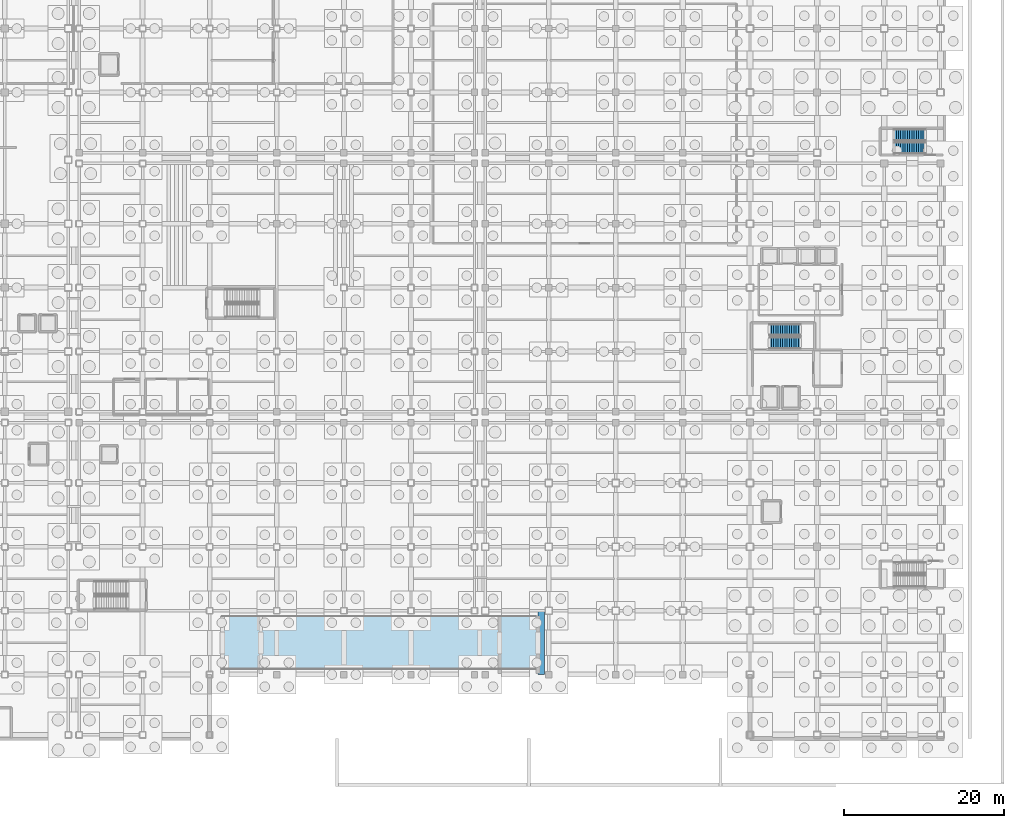
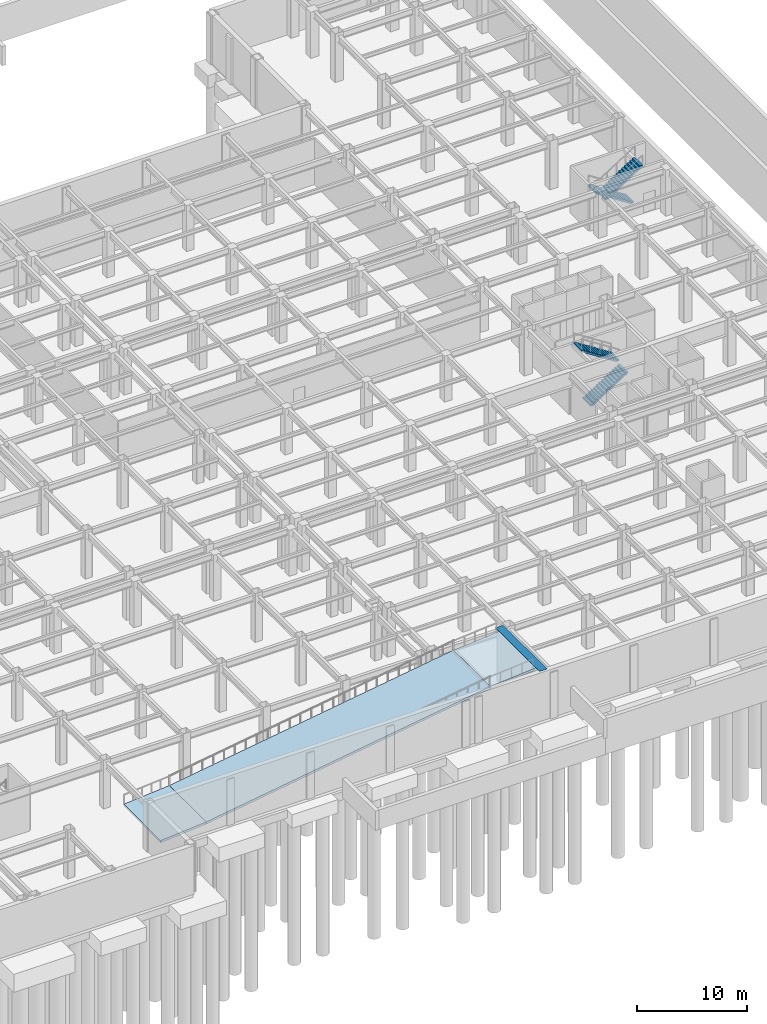
# One storey, part 41 of 55: 4 stair flights, 3 slabs, 1 ramp, 2 elements without a shape of their own.
"""IFC4 building model written with IfcOpenShell, lengths in metres."""

from ifc_helpers import new_model, si_unit, direction, frame, origin, place, context, subcontext, project, spatial, polyline, outline, extrude, material, layer, layer_set, type_object, element, aggregate, save


model = new_model("IFC4")

# Units and contexts
model_context = context("Model", 3, precision=1e-05, world=origin(), true_north=direction((0.0, 1.0)))
body_context = subcontext(model_context, "Body", "Model", "MODEL_VIEW")
ifc_project = project(units=[si_unit("LENGTHUNIT", "METRE"), si_unit("AREAUNIT", "SQUARE_METRE"), si_unit("VOLUMEUNIT", "CUBIC_METRE"), si_unit("PLANEANGLEUNIT", "RADIAN"), si_unit("MASSUNIT", "GRAM", prefix="KILO")], contexts=[model_context])

# Slab
ifc_material_1 = material(Name="Concrete C36/45", Category="concrete")
ifc_layer_1 = layer(ifc_material_1, 0.25)
ifc_layer_set_1 = layer_set([ifc_layer_1], Name="Concrete C36/45")
slab_type = type_object("IfcSlabType", Name="TP-SL-VRMP", PredefinedType="FLOOR", material=ifc_layer_set_1)
site_placement = place(None, origin())
building_placement = place(site_placement, origin())
storey_placement = place(building_placement, frame((0.0, 0.0, -5.39990234375)))
slab_1_placement = place(storey_placement, frame((77.64990234375, 8.64990234375, 0.0), z_axis=(-0.083024506106, 0.0, 0.996547505835), x_axis=(0.996547505835, 0.0, 0.083024506106)))
slab_1 = element("IfcSlab", 1, at=slab_1_placement, type_object=slab_type, Name="Vehicle ramp R1 structural slab F1", PredefinedType="FLOOR", context=body_context, shape_type="SweptSolid", body=[
    extrude(outline(polyline([(0.0, 0.0), (4.816678382134407, 0.0), (4.816678382134407, 6.700195312500002), (0.0, 6.700195312500002), (0.0, 0.0)])), origin(), (0.0, 0.0, -1.0), 0.25),
])

slab_2_placement = place(storey_placement, frame((82.449951171875, 8.64990234375, 0.39990234375), z_axis=(-0.152059609993, 0.0, 0.988371324457), x_axis=(0.988371324457, 0.0, 0.152059609993)))
slab_2 = element("IfcSlab", 2, at=slab_2_placement, type_object=slab_type, Name="Vehicle ramp R1 structural slab F2", PredefinedType="FLOOR", context=body_context, shape_type="SweptSolid", body=[
    extrude(outline(polyline([(0.0, 0.0), (30.251936437757493, 0.0), (30.251936437757493, 6.7001953125), (0.0, 6.7001953125), (0.0, 0.0)])), origin(), (0.0, 0.0, -1.0), 0.25),
])

slab_3_placement = place(storey_placement, frame((112.35009765625, 8.64990234375, 5.0), z_axis=(-0.083028700011, 0.0, 0.996547156423), x_axis=(0.996547156423, 0.0, 0.083028700011)))
slab_3 = element("IfcSlab", 3, at=slab_3_placement, type_object=slab_type, Name="Vehicle ramp R1 structural slab F3", PredefinedType="FLOOR", context=body_context, shape_type="SweptSolid", body=[
    extrude(outline(polyline([(0.0, 0.0), (4.816435084446142, 0.0), (4.816435084446142, 6.7001953125), (0.0, 6.7001953125), (0.0, 0.0)])), origin(), (0.0, 0.0, -1.0), 0.25),
])

# Site, building, storey
site = spatial("IfcSite", under=ifc_project, at=site_placement, CompositionType="ELEMENT")
building = spatial("IfcBuilding", under=site, at=building_placement, Name="Kazehara Bluff Congress Hotel", CompositionType="ELEMENT")
storey = spatial("IfcBuildingStorey", under=building, at=storey_placement, Name="B1", CompositionType="ELEMENT", Elevation=-5.39990234375)

# Stair, stair flights
ifc_material_2 = material(Name="Concrete C36/45", Category="concrete")
stair_type = type_object("IfcStairType", Name="TP-ST-T03", PredefinedType="HALF_TURN_STAIR", material=ifc_material_2)
stair_1_placement = place(storey_placement, origin())
stair_1 = element("IfcStair", 4, at=stair_1_placement, inside=storey, type_object=stair_type, Name="B1 Escape stair ST-11", PredefinedType="HALF_TURN_STAIR")
ifc_material_3 = material(Name="Concrete C36/45", Category="concrete")
stair_flight_type = type_object("IfcStairFlightType", Name="TP-SF-T03", PredefinedType="STRAIGHT", material=ifc_material_3)
stair_flight_1_placement = place(storey_placement, frame((146.10009765625, 49.52490234375, 0.0), z_axis=(0.0, 0.0, 1.0), x_axis=(1.0, 0.0, 0.0)))
stair_flight_1 = element("IfcStairFlight", 5, at=stair_flight_1_placement, type_object=stair_flight_type, Name="ST-11 flight 1", NumberOfRisers=15, NumberOfTreads=14, PredefinedType="STRAIGHT", RiserHeight=0.18, TreadLength=0.28, context=body_context, shape_type="SweptSolid", body=[
    extrude(outline(polyline([(0.0, 0.0), (0.0, 0.179931640625), (0.280029296875, 0.179931640625), (0.280029296875, 0.360107421875), (0.56005859375, 0.360107421875), (0.56005859375, 0.5400390625), (0.840087890625, 0.5400390625), (0.840087890625, 0.719970703125), (1.1201171875, 0.719970703125), (1.1201171875, 0.89990234375), (1.39990234375, 0.89990234375), (1.39990234375, 1.080078125), (1.679931640625, 1.080078125), (1.679931640625, 1.260009765625), (1.9599609375, 1.260009765625), (1.9599609375, 1.43994140625), (2.239990234375, 1.43994140625), (2.239990234375, 1.6201171875), (2.52001953125, 1.6201171875), (2.52001953125, 1.800048828125), (2.800048828125, 1.800048828125), (2.800048828125, 1.97998046875), (3.080078125, 1.97998046875), (3.080078125, 2.159912109375), (3.360107421875, 2.159912109375), (3.360107421875, 2.340087890625), (3.639892578125, 2.340087890625), (3.639892578125, 2.52001953125), (3.919921875, 2.52001953125), (3.919921875, 2.699951171875), (3.919921875, 2.329833984375), (0.295654296875, 0.0), (0.0, 0.0)])), frame((0.0, 0.72509765625, 0.0), z_axis=(0.0, -1.0, 0.0), x_axis=(1.0, 0.0, 0.0)), (0.0, 0.0, 1.0), 1.449951171875),
])
stair_flight_2_placement = place(storey_placement, frame((150.02001953125, 51.175048828125, 2.699951171875), z_axis=(0.0, 0.0, 1.0), x_axis=(-1.0, 0.0, 0.0)))
stair_flight_2 = element("IfcStairFlight", 6, at=stair_flight_2_placement, type_object=stair_flight_type, Name="ST-11 flight 2", NumberOfRisers=15, NumberOfTreads=14, PredefinedType="STRAIGHT", RiserHeight=0.18, TreadLength=0.28, context=body_context, shape_type="SweptSolid", body=[
    extrude(outline(polyline([(0.0, 0.0), (0.0, 0.179931640625), (0.280029296875, 0.179931640625), (0.280029296875, 0.360107421875), (0.56005859375, 0.360107421875), (0.56005859375, 0.5400390625), (0.840087890625, 0.5400390625), (0.840087890625, 0.719970703125), (1.1201171875, 0.719970703125), (1.1201171875, 0.89990234375), (1.39990234375, 0.89990234375), (1.39990234375, 1.080078125), (1.679931640625, 1.080078125), (1.679931640625, 1.260009765625), (1.9599609375, 1.260009765625), (1.9599609375, 1.43994140625), (2.239990234375, 1.43994140625), (2.239990234375, 1.6201171875), (2.52001953125, 1.6201171875), (2.52001953125, 1.800048828125), (2.800048828125, 1.800048828125), (2.800048828125, 1.97998046875), (3.080078125, 1.97998046875), (3.080078125, 2.159912109375), (3.360107421875, 2.159912109375), (3.360107421875, 2.340087890625), (3.639892578125, 2.340087890625), (3.639892578125, 2.52001953125), (3.919921875, 2.52001953125), (3.919921875, 2.699951171875), (3.919921875, 2.329833984375), (0.295654296875, 0.0), (0.0, 0.0)])), frame((0.0, 0.72509765625, 0.0), z_axis=(0.0, -1.0, 0.0), x_axis=(1.0, 0.0, 0.0)), (0.0, 0.0, 1.0), 1.449951171875),
])
aggregate(stair_1, [stair_flight_1, stair_flight_2])

stair_2_placement = place(storey_placement, origin())
stair_2 = element("IfcStair", 7, at=stair_2_placement, inside=storey, type_object=stair_type, Name="B1 Escape stair ST-12", PredefinedType="HALF_TURN_STAIR")
stair_flight_3_placement = place(storey_placement, frame((165.64990234375, 75.574951171875, 0.0), z_axis=(0.0, 0.0, 1.0), x_axis=(-1.0, 0.0, 0.0)))
stair_flight_3 = element("IfcStairFlight", 8, at=stair_flight_3_placement, type_object=stair_flight_type, Name="ST-12 flight 1", NumberOfRisers=15, NumberOfTreads=14, PredefinedType="STRAIGHT", RiserHeight=0.18, TreadLength=0.28, context=body_context, shape_type="SweptSolid", body=[
    extrude(outline(polyline([(0.0, 0.0), (0.0, 0.179931640625), (0.280029296875, 0.179931640625), (0.280029296875, 0.360107421875), (0.56005859375, 0.360107421875), (0.56005859375, 0.5400390625), (0.840087890625, 0.5400390625), (0.840087890625, 0.719970703125), (1.1201171875, 0.719970703125), (1.1201171875, 0.89990234375), (1.39990234375, 0.89990234375), (1.39990234375, 1.080078125), (1.679931640625, 1.080078125), (1.679931640625, 1.260009765625), (1.9599609375, 1.260009765625), (1.9599609375, 1.43994140625), (2.239990234375, 1.43994140625), (2.239990234375, 1.6201171875), (2.52001953125, 1.6201171875), (2.52001953125, 1.800048828125), (2.800048828125, 1.800048828125), (2.800048828125, 1.97998046875), (3.080078125, 1.97998046875), (3.080078125, 2.159912109375), (3.360107421875, 2.159912109375), (3.360107421875, 2.340087890625), (3.639892578125, 2.340087890625), (3.639892578125, 2.52001953125), (3.919921875, 2.52001953125), (3.919921875, 2.699951171875), (3.919921875, 2.329833984375), (0.295654296875, 0.0), (0.0, 0.0)])), frame((0.0, 0.72509765625, 0.0), z_axis=(0.0, -1.0, 0.0), x_axis=(1.0, 0.0, 0.0)), (0.0, 0.0, 1.0), 1.449951171875),
])
stair_flight_4_placement = place(storey_placement, frame((161.72998046875, 73.925048828125, 2.699951171875), z_axis=(0.0, 0.0, 1.0), x_axis=(1.0, 0.0, 0.0)))
stair_flight_4 = element("IfcStairFlight", 9, at=stair_flight_4_placement, type_object=stair_flight_type, Name="ST-12 flight 2", NumberOfRisers=15, NumberOfTreads=14, PredefinedType="STRAIGHT", RiserHeight=0.18, TreadLength=0.28, context=body_context, shape_type="SweptSolid", body=[
    extrude(outline(polyline([(0.0, 0.0), (0.0, 0.179931640625), (0.280029296875, 0.179931640625), (0.280029296875, 0.360107421875), (0.56005859375, 0.360107421875), (0.56005859375, 0.5400390625), (0.840087890625, 0.5400390625), (0.840087890625, 0.719970703125), (1.1201171875, 0.719970703125), (1.1201171875, 0.89990234375), (1.39990234375, 0.89990234375), (1.39990234375, 1.080078125), (1.679931640625, 1.080078125), (1.679931640625, 1.260009765625), (1.9599609375, 1.260009765625), (1.9599609375, 1.43994140625), (2.239990234375, 1.43994140625), (2.239990234375, 1.6201171875), (2.52001953125, 1.6201171875), (2.52001953125, 1.800048828125), (2.800048828125, 1.800048828125), (2.800048828125, 1.97998046875), (3.080078125, 1.97998046875), (3.080078125, 2.159912109375), (3.360107421875, 2.159912109375), (3.360107421875, 2.340087890625), (3.639892578125, 2.340087890625), (3.639892578125, 2.52001953125), (3.919921875, 2.52001953125), (3.919921875, 2.699951171875), (3.919921875, 2.329833984375), (0.295654296875, 0.0), (0.0, 0.0)])), frame((0.0, 0.72509765625, 0.0), z_axis=(0.0, -1.0, 0.0), x_axis=(1.0, 0.0, 0.0)), (0.0, 0.0, 1.0), 1.449951171875),
])
aggregate(stair_2, [stair_flight_3, stair_flight_4])

# Ramp
ifc_material_4 = material(Name="Concrete C36/45", Category="concrete")
ifc_layer_2 = layer(ifc_material_4, 0.050048828125)
ifc_layer_set_2 = layer_set([ifc_layer_2], Name="Concrete C36/45")
ramp_type = type_object("IfcRampType", Name="TP-RMP-VEH", PredefinedType="STRAIGHT_RUN_RAMP", material=ifc_layer_set_2)
ramp_placement = place(storey_placement, frame((0.0, 0.0, 5.349853515625)))
ramp = element("IfcRamp", 10, at=ramp_placement, inside=storey, type_object=ramp_type, Name="Car park vehicle ramp R1", PredefinedType="STRAIGHT_RUN_RAMP", context=body_context, shape_type="SweptSolid", body=[
    extrude(outline(polyline([(117.14990234375, 8.0), (117.949951171875, 8.0), (117.949951171875, 16.0), (117.14990234375, 16.0), (117.14990234375, 8.0)])), origin(), (0.0, 0.0, 1.0), 0.050048828125),
])

aggregate(ramp, [slab_1, slab_2, slab_3])

save(model, "model.ifc")
